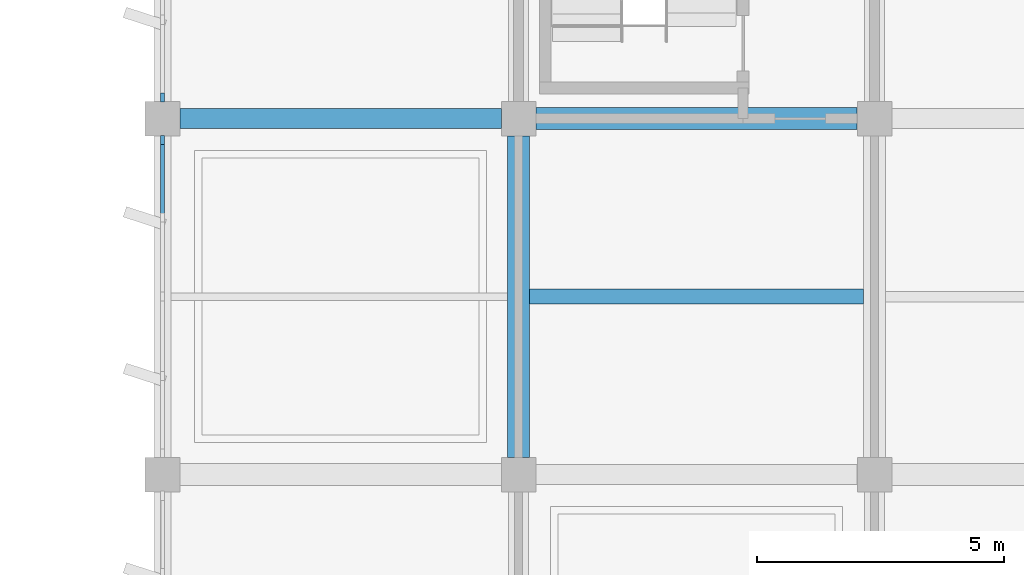
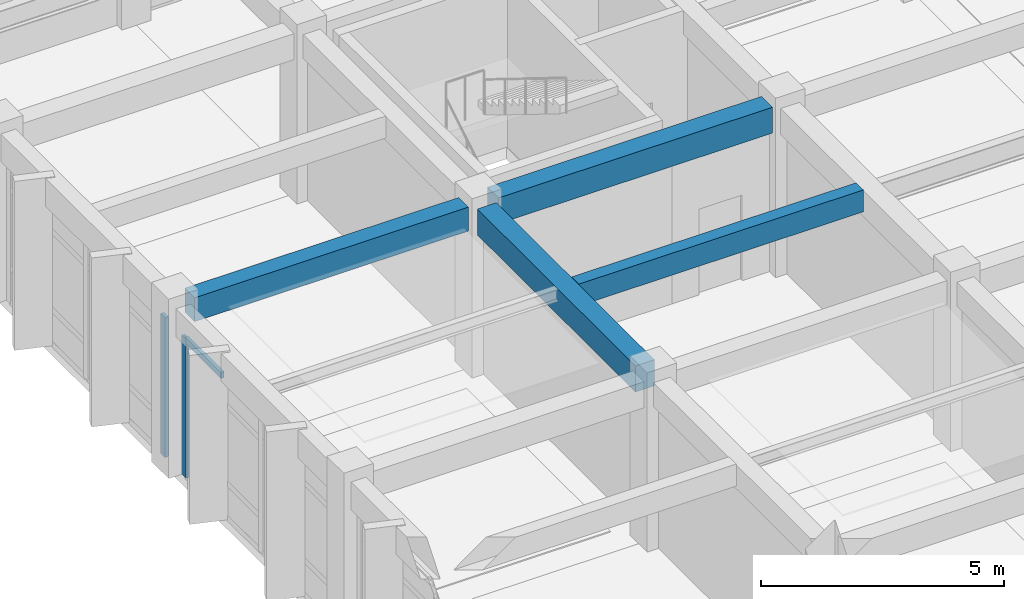
# One storey, part 24 of 81: 4 beams, 3 members, 2 elements without a shape of their own.
"""IFC4 building model written with IfcOpenShell, lengths in metres."""

from ifc_helpers import new_model, si_unit, direction, frame, origin, origin_2d, place, context, subcontext, project, spatial, rectangle, extrude, material, layer, layer_set, material_profile, profile_set, type_object, element, aggregate, save


model = new_model("IFC4")

# Units and contexts
model_context = context("Model", 3, precision=1e-05, world=origin(), true_north=direction((0.0, 1.0)))
body_context = subcontext(model_context, "Body", "Model", "MODEL_VIEW")
ifc_project = project(units=[si_unit("LENGTHUNIT", "METRE"), si_unit("AREAUNIT", "SQUARE_METRE"), si_unit("VOLUMEUNIT", "CUBIC_METRE"), si_unit("PLANEANGLEUNIT", "RADIAN"), si_unit("MASSUNIT", "GRAM", prefix="KILO")], contexts=[model_context])

# Site, building, storey
site_placement = place(None, origin())
site = spatial("IfcSite", under=ifc_project, at=site_placement, CompositionType="ELEMENT")
building_placement = place(site_placement, origin())
building = spatial("IfcBuilding", under=site, at=building_placement, Name="Kavelor Marine Aquarium", CompositionType="ELEMENT")
storey_placement = place(building_placement, frame((0.0, 0.0, 4.679931640625)))
storey = spatial("IfcBuildingStorey", under=building, at=storey_placement, Name="L01", CompositionType="ELEMENT", Elevation=4.679931640625)

# Beams
ifc_material_1 = material(Name="Concrete C40/50", Category="concrete")
ifc_material_profile_1 = material_profile(ifc_material_1, rectangle(XDim=0.449951171875, YDim=0.64990234375, at=origin_2d()), Name="RC-BM 450x650")
ifc_profile_set_1 = profile_set([ifc_material_profile_1], Name="Concrete C40/50")
beam_type_1 = type_object("IfcBeamType", Name="BM-B3", PredefinedType="BEAM", material=ifc_profile_set_1)
for number, where, z_axis, x_axis, name in (
    (1, (125.949951171875, 96.39990234375, 3.875), (1.0, 0.0, 0.0), (0.0, 1.0, 0.0), "bm:x:L01:L02:17_13"),
    (2, (125.60009765625, 89.550048828125, 3.875), (0.0, 1.0, 0.0), (-1.0, 0.0, 0.0), "bm:y:L01:L02:17_12"),
):
    element("IfcBeam", number, at=place(storey_placement, frame(where, z_axis=z_axis, x_axis=x_axis)), inside=storey, type_object=beam_type_1, Name=name, PredefinedType="BEAM", context=body_context, shape_type="SweptSolid", body=[
        extrude(rectangle(XDim=0.449951171875, YDim=0.64990234375, at=origin_2d()), origin(), (0.0, 0.0, 1.0), 6.5),
    ])
ifc_material_2 = material(Name="Concrete C40/50", Category="concrete")
ifc_material_profile_2 = material_profile(ifc_material_2, rectangle(XDim=0.39990234375, YDim=0.60009765625, at=origin_2d()), Name="RC-BM 400x600")
ifc_profile_set_2 = profile_set([ifc_material_profile_2], Name="Concrete C40/50")
beam_type_2 = type_object("IfcBeamType", Name="BM-B4", PredefinedType="BEAM", material=ifc_profile_set_2)
beam_1_placement = place(storey_placement, frame((118.75, 96.39990234375, 3.900146484375), z_axis=(1.0, 0.0, 0.0), x_axis=(0.0, 1.0, 0.0)))
element("IfcBeam", 3, at=beam_1_placement, inside=storey, type_object=beam_type_2, Name="bm:x:L01:L02:16_13", PredefinedType="BEAM", context=body_context, shape_type="SweptSolid", body=[
    extrude(rectangle(XDim=0.39990234375, YDim=0.60009765625, at=origin_2d()), origin(), (0.0, 0.0, 1.0), 6.5),
])
ifc_material_3 = material(Name="Concrete C40/50", Category="concrete")
ifc_material_profile_3 = material_profile(ifc_material_3, rectangle(XDim=0.300048828125, YDim=0.550048828125, at=origin_2d()), Name="RC-JS 300x550")
ifc_profile_set_3 = profile_set([ifc_material_profile_3], Name="Concrete C40/50")
beam_type_3 = type_object("IfcBeamType", Name="BM-JS2", PredefinedType="JOIST", material=ifc_profile_set_3)
beam_2_placement = place(storey_placement, frame((125.824951171875, 92.800048828125, 3.945068359375), z_axis=(1.0, 0.0, 0.0), x_axis=(0.0, 1.0, 0.0)))
element("IfcBeam", 4, at=beam_2_placement, inside=storey, type_object=beam_type_3, Name="js:L01:L02:17_12", PredefinedType="JOIST", context=body_context, shape_type="SweptSolid", body=[
    extrude(rectangle(XDim=0.300048828125, YDim=0.550048828125, at=origin_2d()), origin(), (0.0, 0.0, 1.0), 6.75),
])

# Curtain wall, member
ifc_material_4 = material(Name="Thermally Broken Aluminium and Low-E Glass", Category="aluminium")
ifc_layer_1 = layer(ifc_material_4, 0.243896484375)
ifc_layer_set_1 = layer_set([ifc_layer_1], Name="CW-SYS13")
curtain_wall_type_1 = type_object("IfcCurtainWallType", Name="CW-SYS13", PredefinedType="USERDEFINED", material=ifc_layer_set_1)
curtain_wall_1_placement = place(storey_placement, origin())
curtain_wall_1 = element("IfcCurtainWall", 5, at=curtain_wall_1_placement, inside=storey, type_object=curtain_wall_type_1, Name="cw:y:L01:16_12", ObjectType="Curtain Wall", PredefinedType="USERDEFINED")
ifc_material_5 = material(Name="Anodised Aluminium Alloy 6063-T6", Category="aluminium")
ifc_material_profile_4 = material_profile(ifc_material_5, rectangle(XDim=0.074951171875, YDim=0.179931640625, at=origin_2d()), Name="CW-MUL 75x180")
ifc_profile_set_4 = profile_set([ifc_material_profile_4], Name="Anodised Aluminium Alloy 6063-T6")
member_type_1 = type_object("IfcMemberType", Name="CWM-1", PredefinedType="MULLION", material=ifc_profile_set_4)
member_1_placement = place(storey_placement, frame((118.39990234375, 95.967529296875, 0.0), z_axis=(0.0, 0.0, 1.0), x_axis=(1.0, 0.0, 0.0)))
member_1 = element("IfcMember", 6, at=member_1_placement, type_object=member_type_1, Name="CW13 mullion 1", PredefinedType="MULLION", context=body_context, shape_type="SweptSolid", body=[
    extrude(rectangle(XDim=0.074951171875, YDim=0.179931640625, at=origin_2d()), origin(), (0.0, 0.0, 1.0), 3.489990234375),
])

ifc_material_6 = material(Name="Thermally Broken Aluminium and Low-E Glass", Category="aluminium")
ifc_layer_2 = layer(ifc_material_6, 0.251953125)
ifc_layer_set_2 = layer_set([ifc_layer_2], Name="CW-SYS14")
curtain_wall_type_2 = type_object("IfcCurtainWallType", Name="CW-SYS14", PredefinedType="USERDEFINED", material=ifc_layer_set_2)
curtain_wall_2_placement = place(storey_placement, origin())
curtain_wall_2 = element("IfcCurtainWall", 7, at=curtain_wall_2_placement, inside=storey, type_object=curtain_wall_type_2, Name="cw:y:L01:16_13", ObjectType="Curtain Wall", PredefinedType="USERDEFINED")
ifc_material_7 = material(Name="Anodised Aluminium Alloy 6063-T6", Category="aluminium")
ifc_material_profile_5 = material_profile(ifc_material_7, rectangle(XDim=0.080078125, YDim=0.18505859375, at=origin_2d()), Name="CW-MUL 80x185")
ifc_profile_set_5 = profile_set([ifc_material_profile_5], Name="Anodised Aluminium Alloy 6063-T6")
member_type_2 = type_object("IfcMemberType", Name="CWM-2", PredefinedType="MULLION", material=ifc_profile_set_5)
member_2_placement = place(storey_placement, frame((118.39990234375, 96.827392578125, 0.0), z_axis=(0.0, 0.0, 1.0), x_axis=(1.0, 0.0, 0.0)))
member_2 = element("IfcMember", 8, at=member_2_placement, type_object=member_type_2, Name="CW14 mullion 5", PredefinedType="MULLION", context=body_context, shape_type="SweptSolid", body=[
    extrude(rectangle(XDim=0.080078125, YDim=0.18505859375, at=origin_2d()), origin(), (0.0, 0.0, 1.0), 3.510009765625),
])
aggregate(curtain_wall_2, [member_2])

# Member
ifc_material_8 = material(Name="Anodised Aluminium Alloy 6063-T6", Category="aluminium")
ifc_material_profile_6 = material_profile(ifc_material_8, rectangle(XDim=0.074951171875, YDim=0.14990234375, at=origin_2d()), Name="CW-TRN 75x150")
ifc_profile_set_6 = profile_set([ifc_material_profile_6], Name="Anodised Aluminium Alloy 6063-T6")
member_type_3 = type_object("IfcMemberType", Name="CWT-1", PredefinedType="USERDEFINED", material=ifc_profile_set_6)
member_3_placement = place(storey_placement, frame((118.39990234375, 95.929931640625, 3.45263671875), z_axis=(0.0, -1.0, 0.0), x_axis=(1.0, 0.0, 0.0)))
member_3 = element("IfcMember", 9, at=member_3_placement, type_object=member_type_3, Name="CW13 transom 1.4", ObjectType="TRANSOM", PredefinedType="USERDEFINED", context=body_context, shape_type="SweptSolid", body=[
    extrude(rectangle(XDim=0.074951171875, YDim=0.14990234375, at=origin_2d()), origin(), (0.0, 0.0, 1.0), 1.489990234375),
])

aggregate(curtain_wall_1, [member_1, member_3])

save(model, "model.ifc")
